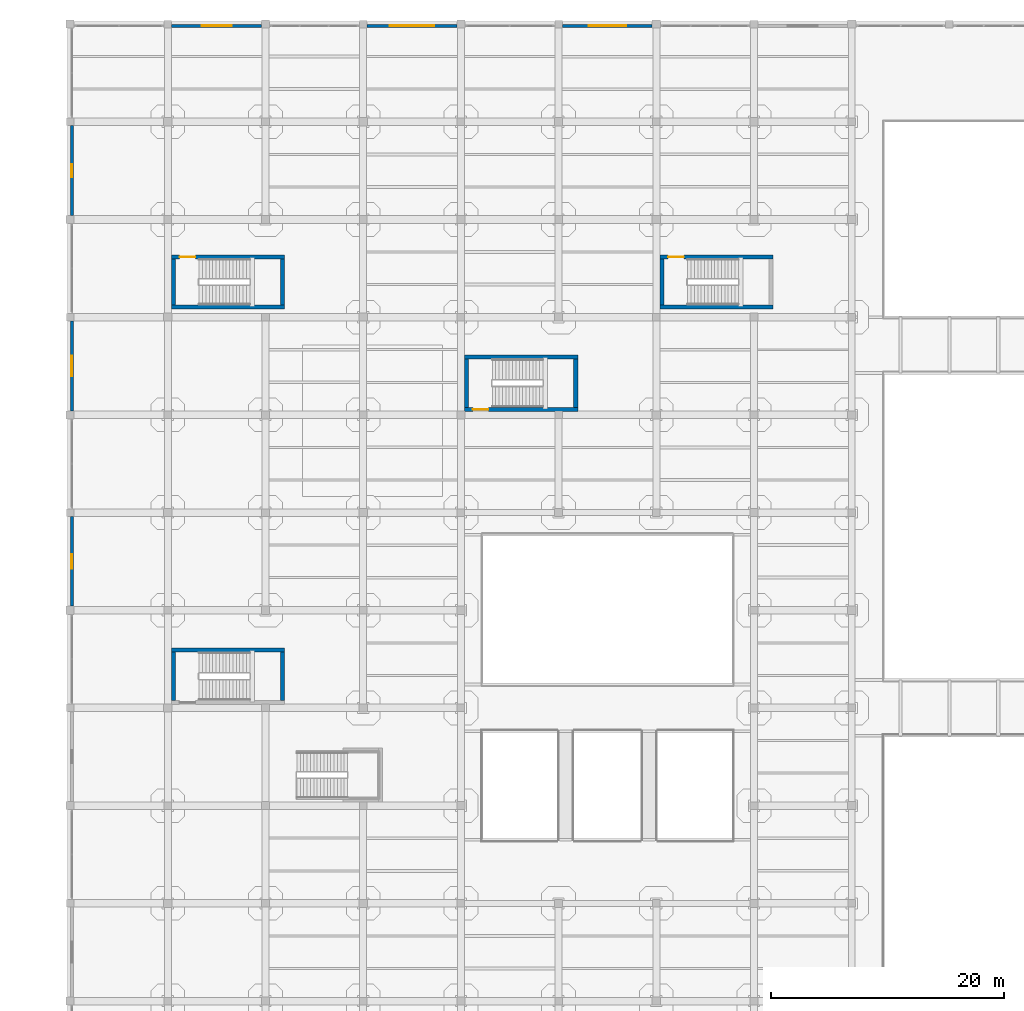
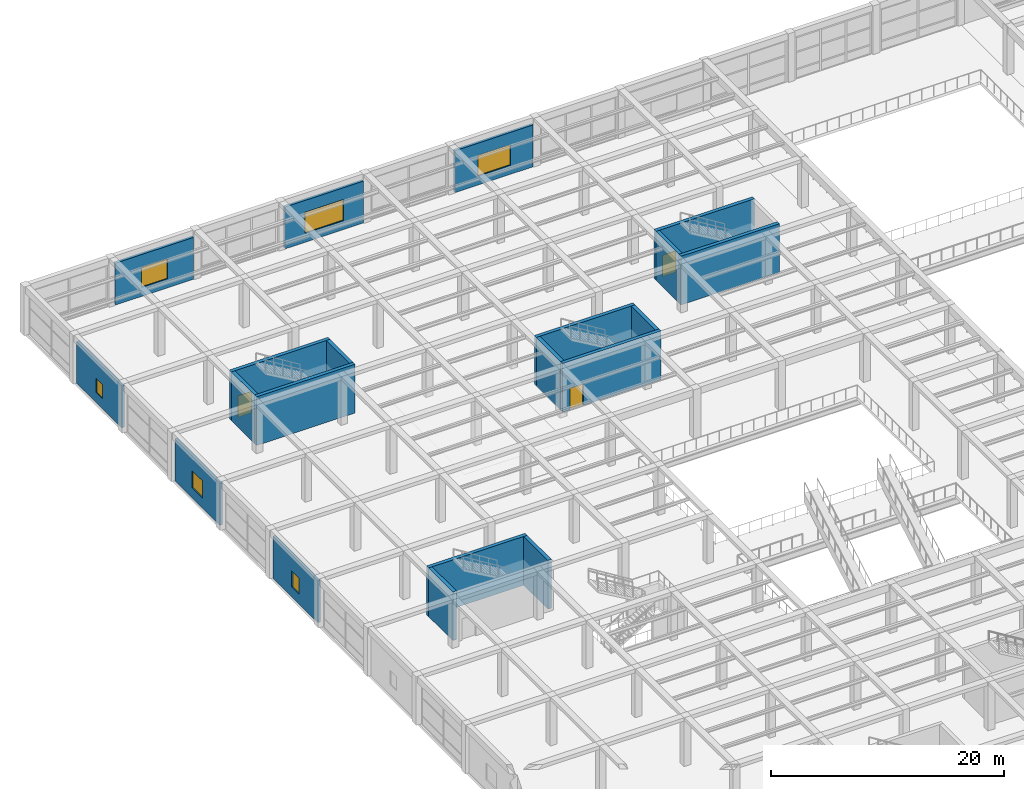
# One storey, part 79 of 95: 20 walls, 6 windows, 3 doors, 9 openings.
"""IFC4 building model written with IfcOpenShell, lengths in metres."""

from ifc_helpers import new_model, si_unit, direction, frame, frame_2d, origin, place, context, subcontext, project, spatial, rectangle, extrude, material, layer, layer_set, type_object, element, fill, save


model = new_model("IFC4")

# Units and contexts
model_context = context("Model", 3, precision=1e-05, world=origin(), true_north=direction((0.0, 1.0)))
body_context = subcontext(model_context, "Body", "Model", "MODEL_VIEW")
ifc_project = project(units=[si_unit("LENGTHUNIT", "METRE"), si_unit("AREAUNIT", "SQUARE_METRE"), si_unit("VOLUMEUNIT", "CUBIC_METRE"), si_unit("PLANEANGLEUNIT", "RADIAN"), si_unit("MASSUNIT", "GRAM", prefix="KILO")], contexts=[model_context])

# Site, building, storey
site_placement = place(None, origin())
site = spatial("IfcSite", under=ifc_project, at=site_placement, CompositionType="ELEMENT")
building_placement = place(site_placement, origin())
building = spatial("IfcBuilding", under=site, at=building_placement, Name="Almacenes y Pasaje Nevantli", CompositionType="ELEMENT")
storey_placement = place(building_placement, frame((0.0, 0.0, 11.39990234375)))
storey = spatial("IfcBuildingStorey", under=building, at=storey_placement, Name="L03", CompositionType="ELEMENT", Elevation=11.39990234375)

# Wall
ifc_material_1 = material(Name="Concrete C45/55", Category="concrete")
ifc_layer_1 = layer(ifc_material_1, 0.35009765625)
ifc_layer_set_1 = layer_set([ifc_layer_1], Name="Concrete C45/55")
wall_type_1 = type_object("IfcWallType", Name="WL-CORE-350", PredefinedType="SHEAR", material=ifc_layer_set_1)
wall_1_placement = place(storey_placement, frame((8.699951171875, 93.27490234375, 0.0), z_axis=(0.0, 0.0, 1.0), x_axis=(1.0, 0.0, 0.0)))
element("IfcWall", 1, at=wall_1_placement, inside=storey, type_object=wall_type_1, Name="L03 Exit Stair ST-03 South Core Shear Wall", PredefinedType="SHEAR", context=body_context, shape_type="SweptSolid", body=[
    extrude(rectangle(XDim=9.75, YDim=0.35009765625, at=frame_2d((4.875, 0.0))), origin(), (0.0, 0.0, 1.0), 5.10009765625),
])

# Wall, opening, door
wall_2_placement = place(storey_placement, frame((8.699951171875, 97.574951171875, 0.0), z_axis=(0.0, 0.0, 1.0), x_axis=(1.0, 0.0, 0.0)))
wall_2 = element("IfcWall", 2, at=wall_2_placement, inside=storey, type_object=wall_type_1, Name="L03 Exit Stair ST-03 North Core Shear Wall", PredefinedType="SHEAR", context=body_context, shape_type="SweptSolid", body=[
    extrude(rectangle(XDim=9.75, YDim=0.35009765625, at=frame_2d((4.875, 0.0))), origin(), (0.0, 0.0, 1.0), 5.10009765625),
])
opening_1_placement = place(wall_2_placement, frame((0.719970703125, 0.0, 0.0)))
opening_1 = element("IfcOpeningElement", 3, at=opening_1_placement, cuts=wall_2, Name="Opening SD-03-L03", PredefinedType="OPENING", context=body_context, shape_type="SweptSolid", body=[
    extrude(rectangle(XDim=1.35009765625, YDim=2.25, at=frame_2d((0.675048828125, 1.125))), frame((0.0, 0.18505859375, 0.0), z_axis=(0.0, -1.0, 0.0), x_axis=(1.0, 0.0, 0.0)), (0.0, 0.0, 1.0), 0.3701171875),
])
ifc_material_2 = material(Name="Galvanized Fire-Rated Steel", Category="steel")
door_type = type_object("IfcDoorType", Name="DR-STAIR-1350", OperationType="SINGLE_SWING_LEFT", PredefinedType="DOOR", material=ifc_material_2)
door_1_placement = place(opening_1_placement, origin())
door_1 = element("IfcDoor", 4, at=door_1_placement, inside=storey, type_object=door_type, Name="L03 Smokeproof Exit Stair ST-03 Fire Door", OperationType="SINGLE_SWING_LEFT", OverallHeight=2.25, OverallWidth=1.35009765625, PredefinedType="DOOR", context=body_context, shape_type="SweptSolid", body=[
    extrude(rectangle(XDim=1.35009765625, YDim=2.25, at=frame_2d((0.675048828125, 1.125))), frame((0.0, 0.02490234375, 0.0), z_axis=(0.0, -1.0, 0.0), x_axis=(1.0, 0.0, 0.0)), (0.0, 0.0, 1.0), 0.050048828125),
])
fill(opening_1, door_1)

# Walls
for number, where, z_axis, x_axis, name in (
    (5, (8.875, 93.449951171875, 0.0), (0.0, 0.0, 1.0), (0.0, 1.0, 0.0), "L03 Exit Stair ST-03 West Core Shear Wall"),
    (6, (18.27490234375, 93.449951171875, 0.0), (0.0, 0.0, 1.0), (0.0, 1.0, 0.0), "L03 Exit Stair ST-03 East Core Shear Wall"),
):
    element("IfcWall", number, at=place(storey_placement, frame(where, z_axis=z_axis, x_axis=x_axis)), inside=storey, type_object=wall_type_1, Name=name, PredefinedType="SHEAR", context=body_context, shape_type="SweptSolid", body=[
        extrude(rectangle(XDim=3.949951171875, YDim=0.35009765625, at=frame_2d((1.97509765625, 0.0))), origin(), (0.0, 0.0, 1.0), 5.10009765625),
    ])
wall_3_placement = place(storey_placement, frame((50.699951171875, 93.27490234375, 0.0), z_axis=(0.0, 0.0, 1.0), x_axis=(1.0, 0.0, 0.0)))
element("IfcWall", 7, at=wall_3_placement, inside=storey, type_object=wall_type_1, Name="L03 Exit Stair ST-05 South Core Shear Wall", PredefinedType="SHEAR", context=body_context, shape_type="SweptSolid", body=[
    extrude(rectangle(XDim=9.75, YDim=0.35009765625, at=frame_2d((4.875, 0.0))), origin(), (0.0, 0.0, 1.0), 5.10009765625),
])

# Wall, opening, door
wall_4_placement = place(storey_placement, frame((50.699951171875, 97.574951171875, 0.0), z_axis=(0.0, 0.0, 1.0), x_axis=(1.0, 0.0, 0.0)))
wall_4 = element("IfcWall", 8, at=wall_4_placement, inside=storey, type_object=wall_type_1, Name="L03 Exit Stair ST-05 North Core Shear Wall", PredefinedType="SHEAR", context=body_context, shape_type="SweptSolid", body=[
    extrude(rectangle(XDim=9.75, YDim=0.35009765625, at=frame_2d((4.875, 0.0))), origin(), (0.0, 0.0, 1.0), 5.10009765625),
])
opening_2_placement = place(wall_4_placement, frame((0.719970703125, 0.0, 0.0)))
opening_2 = element("IfcOpeningElement", 9, at=opening_2_placement, cuts=wall_4, Name="Opening SD-05-L03", PredefinedType="OPENING", context=body_context, shape_type="SweptSolid", body=[
    extrude(rectangle(XDim=1.35009765625, YDim=2.25, at=frame_2d((0.675048828125, 1.125))), frame((0.0, 0.18505859375, 0.0), z_axis=(0.0, -1.0, 0.0), x_axis=(1.0, 0.0, 0.0)), (0.0, 0.0, 1.0), 0.3701171875),
])
door_2_placement = place(opening_2_placement, origin())
door_2 = element("IfcDoor", 10, at=door_2_placement, inside=storey, type_object=door_type, Name="L03 Smokeproof Exit Stair ST-05 Fire Door", OperationType="SINGLE_SWING_LEFT", OverallHeight=2.25, OverallWidth=1.35009765625, PredefinedType="DOOR", context=body_context, shape_type="SweptSolid", body=[
    extrude(rectangle(XDim=1.35009765625, YDim=2.25, at=frame_2d((0.675048828125, 1.125))), frame((0.0, 0.02490234375, 0.0), z_axis=(0.0, -1.0, 0.0), x_axis=(1.0, 0.0, 0.0)), (0.0, 0.0, 1.0), 0.050048828125),
])
fill(opening_2, door_2)

# Walls
wall_5_placement = place(storey_placement, frame((50.875, 93.449951171875, 0.0), z_axis=(0.0, 0.0, 1.0), x_axis=(0.0, 1.0, 0.0)))
element("IfcWall", 11, at=wall_5_placement, inside=storey, type_object=wall_type_1, Name="L03 Exit Stair ST-05 West Core Shear Wall", PredefinedType="SHEAR", context=body_context, shape_type="SweptSolid", body=[
    extrude(rectangle(XDim=3.949951171875, YDim=0.35009765625, at=frame_2d((1.97509765625, 0.0))), origin(), (0.0, 0.0, 1.0), 5.10009765625),
])
wall_6_placement = place(storey_placement, frame((8.699951171875, 63.77490234375, 0.0), z_axis=(0.0, 0.0, 1.0), x_axis=(1.0, 0.0, 0.0)))
element("IfcWall", 12, at=wall_6_placement, inside=storey, type_object=wall_type_1, Name="L03 Exit Stair ST-12 North Core Shear Wall", PredefinedType="SHEAR", context=body_context, shape_type="SweptSolid", body=[
    extrude(rectangle(XDim=9.75, YDim=0.35009765625, at=frame_2d((4.875, 0.0))), origin(), (0.0, 0.0, 1.0), 5.10009765625),
])
for number, where, z_axis, x_axis, name in (
    (13, (8.875, 59.449951171875, 0.0), (0.0, 0.0, 1.0), (0.0, 1.0, 0.0), "L03 Exit Stair ST-12 West Core Shear Wall"),
    (14, (18.27490234375, 59.449951171875, 0.0), (0.0, 0.0, 1.0), (0.0, 1.0, 0.0), "L03 Exit Stair ST-12 East Core Shear Wall"),
):
    element("IfcWall", number, at=place(storey_placement, frame(where, z_axis=z_axis, x_axis=x_axis)), inside=storey, type_object=wall_type_1, Name=name, PredefinedType="SHEAR", context=body_context, shape_type="SweptSolid", body=[
        extrude(rectangle(XDim=4.150146484375, YDim=0.35009765625, at=frame_2d((2.0751953125, 0.0))), origin(), (0.0, 0.0, 1.0), 5.10009765625),
    ])

# Wall, opening, door
wall_7_placement = place(storey_placement, frame((33.89990234375, 84.47509765625, 0.0), z_axis=(0.0, 0.0, 1.0), x_axis=(1.0, 0.0, 0.0)))
wall_7 = element("IfcWall", 15, at=wall_7_placement, inside=storey, type_object=wall_type_1, Name="L03 Exit Stair ST-15 South Core Shear Wall", PredefinedType="SHEAR", context=body_context, shape_type="SweptSolid", body=[
    extrude(rectangle(XDim=9.75, YDim=0.35009765625, at=frame_2d((4.875, 0.0))), origin(), (0.0, 0.0, 1.0), 5.10009765625),
])
opening_3_placement = place(wall_7_placement, frame((0.719970703125, 0.0, 0.0)))
opening_3 = element("IfcOpeningElement", 16, at=opening_3_placement, cuts=wall_7, Name="Opening SD-15-L03", PredefinedType="OPENING", context=body_context, shape_type="SweptSolid", body=[
    extrude(rectangle(XDim=1.35009765625, YDim=2.25, at=frame_2d((0.675048828125, 1.125))), frame((0.0, 0.18505859375, 0.0), z_axis=(0.0, -1.0, 0.0), x_axis=(1.0, 0.0, 0.0)), (0.0, 0.0, 1.0), 0.3701171875),
])
door_3_placement = place(opening_3_placement, origin())
door_3 = element("IfcDoor", 17, at=door_3_placement, inside=storey, type_object=door_type, Name="L03 Smokeproof Exit Stair ST-15 Fire Door", OperationType="SINGLE_SWING_LEFT", OverallHeight=2.25, OverallWidth=1.35009765625, PredefinedType="DOOR", context=body_context, shape_type="SweptSolid", body=[
    extrude(rectangle(XDim=1.35009765625, YDim=2.25, at=frame_2d((0.675048828125, 1.125))), frame((0.0, 0.02490234375, 0.0), z_axis=(0.0, -1.0, 0.0), x_axis=(1.0, 0.0, 0.0)), (0.0, 0.0, 1.0), 0.050048828125),
])
fill(opening_3, door_3)

# Walls
wall_8_placement = place(storey_placement, frame((33.89990234375, 88.97509765625, 0.0), z_axis=(0.0, 0.0, 1.0), x_axis=(1.0, 0.0, 0.0)))
element("IfcWall", 18, at=wall_8_placement, inside=storey, type_object=wall_type_1, Name="L03 Exit Stair ST-15 North Core Shear Wall", PredefinedType="SHEAR", context=body_context, shape_type="SweptSolid", body=[
    extrude(rectangle(XDim=9.75, YDim=0.35009765625, at=frame_2d((4.875, 0.0))), origin(), (0.0, 0.0, 1.0), 5.10009765625),
])
for number, where, z_axis, x_axis, name in (
    (19, (34.074951171875, 84.64990234375, 0.0), (0.0, 0.0, 1.0), (0.0, 1.0, 0.0), "L03 Exit Stair ST-15 West Core Shear Wall"),
    (20, (43.47509765625, 84.64990234375, 0.0), (0.0, 0.0, 1.0), (0.0, 1.0, 0.0), "L03 Exit Stair ST-15 East Core Shear Wall"),
):
    element("IfcWall", number, at=place(storey_placement, frame(where, z_axis=z_axis, x_axis=x_axis)), inside=storey, type_object=wall_type_1, Name=name, PredefinedType="SHEAR", context=body_context, shape_type="SweptSolid", body=[
        extrude(rectangle(XDim=4.150146484375, YDim=0.35009765625, at=frame_2d((2.0751953125, 0.0))), origin(), (0.0, 0.0, 1.0), 5.10009765625),
    ])

# Wall, opening, window
ifc_material_3 = material(Name="Cream Architectural Precast Concrete C35/45 Wall", Category="concrete")
ifc_layer_2 = layer(ifc_material_3, 0.260009765625)
ifc_layer_set_2 = layer_set([ifc_layer_2], Name="Cream Architectural Precast Concrete C35/45 Wall")
wall_type_2 = type_object("IfcWallType", Name="WL-EXT-PRECAST-260", PredefinedType="SOLIDWALL", material=ifc_layer_set_2)
wall_9_placement = place(storey_placement, frame((8.72802734375, 117.449951171875, 0.0), z_axis=(0.0, 0.0, 1.0), x_axis=(1.0, 0.0, 0.0)))
wall_9 = element("IfcWall", 21, at=wall_9_placement, inside=storey, type_object=wall_type_2, Name="L03 North Boulevard Cantera Spandrel Wall Bay 2", PredefinedType="SOLIDWALL", context=body_context, shape_type="SweptSolid", body=[
    extrude(rectangle(XDim=7.718017578125, YDim=0.260009765625, at=frame_2d((3.85888671875, 0.0))), origin(), (0.0, 0.0, 1.0), 4.380126953125),
])
opening_4_placement = place(wall_9_placement, frame((2.572021484375, 0.0, 0.949951171875)))
opening_4 = element("IfcOpeningElement", 22, at=opening_4_placement, cuts=wall_9, Name="Opening WT-13-090", PredefinedType="OPENING", context=body_context, shape_type="SweptSolid", body=[
    extrude(rectangle(XDim=2.60009765625, YDim=2.10009765625, at=frame_2d((1.300048828125, 1.050048828125))), frame((0.0, 0.139892578125, 0.0), z_axis=(0.0, -1.0, 0.0), x_axis=(1.0, 0.0, 0.0)), (0.0, 0.0, 1.0), 0.280029296875),
])
ifc_material_4 = material(Name="Thermally Broken Aluminium and Low-E Double Glazing", Category="aluminium")
window_type_1 = type_object("IfcWindowType", Name="WN-POD-2600x2100", PartitioningType="SINGLE_PANEL", PredefinedType="WINDOW", material=ifc_material_4)
window_1_placement = place(opening_4_placement, origin())
window_1 = element("IfcWindow", 23, at=window_1_placement, inside=storey, type_object=window_type_1, Name="L03 Exterior Window WT-13 #90", OverallHeight=2.10009765625, OverallWidth=2.60009765625, PartitioningType="SINGLE_PANEL", PredefinedType="WINDOW", context=body_context, shape_type="SweptSolid", body=[
    extrude(rectangle(XDim=2.60009765625, YDim=2.10009765625, at=frame_2d((1.300048828125, 1.050048828125))), frame((0.0, 0.030029296875, 0.0), z_axis=(0.0, -1.0, 0.0), x_axis=(1.0, 0.0, 0.0)), (0.0, 0.0, 1.0), 0.06005859375),
])
fill(opening_4, window_1)

wall_10_placement = place(storey_placement, frame((25.528076171875, 117.449951171875, 0.0), z_axis=(0.0, 0.0, 1.0), x_axis=(1.0, 0.0, 0.0)))
wall_10 = element("IfcWall", 24, at=wall_10_placement, inside=storey, type_object=wall_type_2, Name="L03 North Boulevard Cantera Spandrel Wall Bay 4", PredefinedType="SOLIDWALL", context=body_context, shape_type="SweptSolid", body=[
    extrude(rectangle(XDim=7.719970703125, YDim=0.260009765625, at=frame_2d((3.85986328125, 0.0))), origin(), (0.0, 0.0, 1.0), 4.380126953125),
])
opening_5_placement = place(wall_10_placement, frame((1.971923828125, 0.0, 0.949951171875)))
opening_5 = element("IfcOpeningElement", 25, at=opening_5_placement, cuts=wall_10, Name="Opening WT-09-091", PredefinedType="OPENING", context=body_context, shape_type="SweptSolid", body=[
    extrude(rectangle(XDim=3.800048828125, YDim=2.199951171875, at=frame_2d((1.89990234375, 1.10009765625))), frame((0.0, 0.139892578125, 0.0), z_axis=(0.0, -1.0, 0.0), x_axis=(1.0, 0.0, 0.0)), (0.0, 0.0, 1.0), 0.280029296875),
])
ifc_material_5 = material(Name="Thermally Broken Aluminium and Low-E Double Glazing", Category="aluminium")
window_type_2 = type_object("IfcWindowType", Name="WN-POD-3800x2200", PartitioningType="SINGLE_PANEL", PredefinedType="WINDOW", material=ifc_material_5)
window_2_placement = place(opening_5_placement, origin())
window_2 = element("IfcWindow", 26, at=window_2_placement, inside=storey, type_object=window_type_2, Name="L03 Exterior Window WT-09 #91", OverallHeight=2.199951171875, OverallWidth=3.800048828125, PartitioningType="SINGLE_PANEL", PredefinedType="WINDOW", context=body_context, shape_type="SweptSolid", body=[
    extrude(rectangle(XDim=3.800048828125, YDim=2.199951171875, at=frame_2d((1.89990234375, 1.10009765625))), frame((0.0, 0.030029296875, 0.0), z_axis=(0.0, -1.0, 0.0), x_axis=(1.0, 0.0, 0.0)), (0.0, 0.0, 1.0), 0.06005859375),
])
fill(opening_5, window_2)

wall_11_placement = place(storey_placement, frame((42.327880859375, 117.449951171875, 0.0), z_axis=(0.0, 0.0, 1.0), x_axis=(1.0, 0.0, 0.0)))
wall_11 = element("IfcWall", 27, at=wall_11_placement, inside=storey, type_object=wall_type_2, Name="L03 North Boulevard Cantera Spandrel Wall Bay 6", PredefinedType="SOLIDWALL", context=body_context, shape_type="SweptSolid", body=[
    extrude(rectangle(XDim=7.718017578125, YDim=0.260009765625, at=frame_2d((3.85888671875, 0.0))), origin(), (0.0, 0.0, 1.0), 4.380126953125),
])
opening_6_placement = place(wall_11_placement, frame((2.27197265625, 0.0, 0.949951171875)))
opening_6 = element("IfcOpeningElement", 28, at=opening_6_placement, cuts=wall_11, Name="Opening WT-11-092", PredefinedType="OPENING", context=body_context, shape_type="SweptSolid", body=[
    extrude(rectangle(XDim=3.199951171875, YDim=2.14990234375, at=frame_2d((1.60009765625, 1.074951171875))), frame((0.0, 0.139892578125, 0.0), z_axis=(0.0, -1.0, 0.0), x_axis=(1.0, 0.0, 0.0)), (0.0, 0.0, 1.0), 0.280029296875),
])
ifc_material_6 = material(Name="Thermally Broken Aluminium and Low-E Double Glazing", Category="aluminium")
window_type_3 = type_object("IfcWindowType", Name="WN-POD-3200x2150", PartitioningType="SINGLE_PANEL", PredefinedType="WINDOW", material=ifc_material_6)
window_3_placement = place(opening_6_placement, origin())
window_3 = element("IfcWindow", 29, at=window_3_placement, inside=storey, type_object=window_type_3, Name="L03 Exterior Window WT-11 #92", OverallHeight=2.14990234375, OverallWidth=3.199951171875, PartitioningType="SINGLE_PANEL", PredefinedType="WINDOW", context=body_context, shape_type="SweptSolid", body=[
    extrude(rectangle(XDim=3.199951171875, YDim=2.14990234375, at=frame_2d((1.60009765625, 1.074951171875))), frame((0.0, 0.030029296875, 0.0), z_axis=(0.0, -1.0, 0.0), x_axis=(1.0, 0.0, 0.0)), (0.0, 0.0, 1.0), 0.06005859375),
])
fill(opening_6, window_3)

wall_12_placement = place(storey_placement, frame((0.14990234375, 67.552001953125, 0.0), z_axis=(0.0, 0.0, 1.0), x_axis=(0.0, 1.0, 0.0)))
wall_12 = element("IfcWall", 30, at=wall_12_placement, inside=storey, type_object=wall_type_2, Name="L03 West Avenue Cantera Wall Bay 9", PredefinedType="SOLIDWALL", context=body_context, shape_type="SweptSolid", body=[
    extrude(rectangle(XDim=7.719970703125, YDim=0.260009765625, at=frame_2d((3.85986328125, 0.0))), origin(), (0.0, 0.0, 1.0), 4.380126953125),
])
opening_7_placement = place(wall_12_placement, frame((3.222900390625, 0.0, 1.050048828125)))
opening_7 = element("IfcOpeningElement", 31, at=opening_7_placement, cuts=wall_12, Name="Opening WT-18-115", PredefinedType="OPENING", context=body_context, shape_type="SweptSolid", body=[
    extrude(rectangle(XDim=1.25, YDim=1.64990234375, at=frame_2d((0.625, 0.824951171875))), frame((0.0, 0.139892578125, 0.0), z_axis=(0.0, -1.0, 0.0), x_axis=(1.0, 0.0, 0.0)), (0.0, 0.0, 1.0), 0.280029296875),
])
ifc_material_7 = material(Name="Thermally Broken Aluminium and Low-E Double Glazing", Category="aluminium")
window_type_4 = type_object("IfcWindowType", Name="WN-POD-1250x1650", PartitioningType="SINGLE_PANEL", PredefinedType="WINDOW", material=ifc_material_7)
window_4_placement = place(opening_7_placement, origin())
window_4 = element("IfcWindow", 32, at=window_4_placement, inside=storey, type_object=window_type_4, Name="L03 Exterior Window WT-18 #115", OverallHeight=1.64990234375, OverallWidth=1.25, PartitioningType="SINGLE_PANEL", PredefinedType="WINDOW", context=body_context, shape_type="SweptSolid", body=[
    extrude(rectangle(XDim=1.25, YDim=1.64990234375, at=frame_2d((0.625, 0.824951171875))), frame((0.0, 0.030029296875, 0.0), z_axis=(0.0, -1.0, 0.0), x_axis=(1.0, 0.0, 0.0)), (0.0, 0.0, 1.0), 0.06005859375),
])
fill(opening_7, window_4)

wall_13_placement = place(storey_placement, frame((0.14990234375, 84.35205078125, 0.0), z_axis=(0.0, 0.0, 1.0), x_axis=(0.0, 1.0, 0.0)))
wall_13 = element("IfcWall", 33, at=wall_13_placement, inside=storey, type_object=wall_type_2, Name="L03 West Avenue Cantera Wall Bay 11", PredefinedType="SOLIDWALL", context=body_context, shape_type="SweptSolid", body=[
    extrude(rectangle(XDim=7.719970703125, YDim=0.260009765625, at=frame_2d((3.85986328125, 0.0))), origin(), (0.0, 0.0, 1.0), 4.380126953125),
])
opening_8_placement = place(wall_13_placement, frame((2.947998046875, 0.0, 1.050048828125)))
opening_8 = element("IfcOpeningElement", 34, at=opening_8_placement, cuts=wall_13, Name="Opening WT-07-116", PredefinedType="OPENING", context=body_context, shape_type="SweptSolid", body=[
    extrude(rectangle(XDim=1.800048828125, YDim=1.800048828125, at=frame_2d((0.89990234375, 0.89990234375))), frame((0.0, 0.139892578125, 0.0), z_axis=(0.0, -1.0, 0.0), x_axis=(1.0, 0.0, 0.0)), (0.0, 0.0, 1.0), 0.280029296875),
])
ifc_material_8 = material(Name="Thermally Broken Aluminium and Low-E Double Glazing", Category="aluminium")
window_type_5 = type_object("IfcWindowType", Name="WN-OCU-1800", PartitioningType="SINGLE_PANEL", PredefinedType="WINDOW", material=ifc_material_8)
window_5_placement = place(opening_8_placement, origin())
window_5 = element("IfcWindow", 35, at=window_5_placement, inside=storey, type_object=window_type_5, Name="L03 Exterior Window WT-07 #116", OverallHeight=1.800048828125, OverallWidth=1.800048828125, PartitioningType="SINGLE_PANEL", PredefinedType="WINDOW", context=body_context, shape_type="SweptSolid", body=[
    extrude(rectangle(XDim=1.800048828125, YDim=1.800048828125, at=frame_2d((0.89990234375, 0.89990234375))), frame((0.0, 0.030029296875, 0.0), z_axis=(0.0, -1.0, 0.0), x_axis=(1.0, 0.0, 0.0)), (0.0, 0.0, 1.0), 0.06005859375),
])
fill(opening_8, window_5)

wall_14_placement = place(storey_placement, frame((0.14990234375, 101.152099609375, 0.0), z_axis=(0.0, 0.0, 1.0), x_axis=(0.0, 1.0, 0.0)))
wall_14 = element("IfcWall", 36, at=wall_14_placement, inside=storey, type_object=wall_type_2, Name="L03 West Avenue Cantera Wall Bay 13", PredefinedType="SOLIDWALL", context=body_context, shape_type="SweptSolid", body=[
    extrude(rectangle(XDim=7.719970703125, YDim=0.260009765625, at=frame_2d((3.85986328125, 0.0))), origin(), (0.0, 0.0, 1.0), 4.380126953125),
])
opening_9_placement = place(wall_14_placement, frame((3.298095703125, 0.0, 1.050048828125)))
opening_9 = element("IfcOpeningElement", 37, at=opening_9_placement, cuts=wall_14, Name="Opening WT-19-117", PredefinedType="OPENING", context=body_context, shape_type="SweptSolid", body=[
    extrude(rectangle(XDim=1.10009765625, YDim=1.5, at=frame_2d((0.550048828125, 0.75))), frame((0.0, 0.139892578125, 0.0), z_axis=(0.0, -1.0, 0.0), x_axis=(1.0, 0.0, 0.0)), (0.0, 0.0, 1.0), 0.280029296875),
])
ifc_material_9 = material(Name="Thermally Broken Aluminium and Low-E Double Glazing", Category="aluminium")
window_type_6 = type_object("IfcWindowType", Name="WN-POD-1100x1500", PartitioningType="SINGLE_PANEL", PredefinedType="WINDOW", material=ifc_material_9)
window_6_placement = place(opening_9_placement, origin())
window_6 = element("IfcWindow", 38, at=window_6_placement, inside=storey, type_object=window_type_6, Name="L03 Exterior Window WT-19 #117", OverallHeight=1.5, OverallWidth=1.10009765625, PartitioningType="SINGLE_PANEL", PredefinedType="WINDOW", context=body_context, shape_type="SweptSolid", body=[
    extrude(rectangle(XDim=1.10009765625, YDim=1.5, at=frame_2d((0.550048828125, 0.75))), frame((0.0, 0.030029296875, 0.0), z_axis=(0.0, -1.0, 0.0), x_axis=(1.0, 0.0, 0.0)), (0.0, 0.0, 1.0), 0.06005859375),
])
fill(opening_9, window_6)

save(model, "model.ifc")
